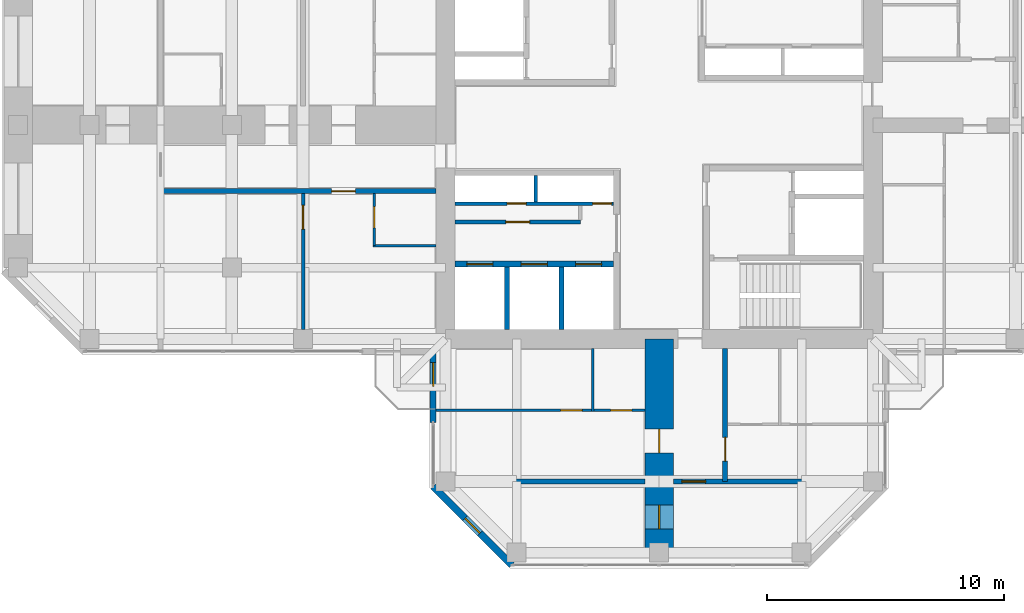
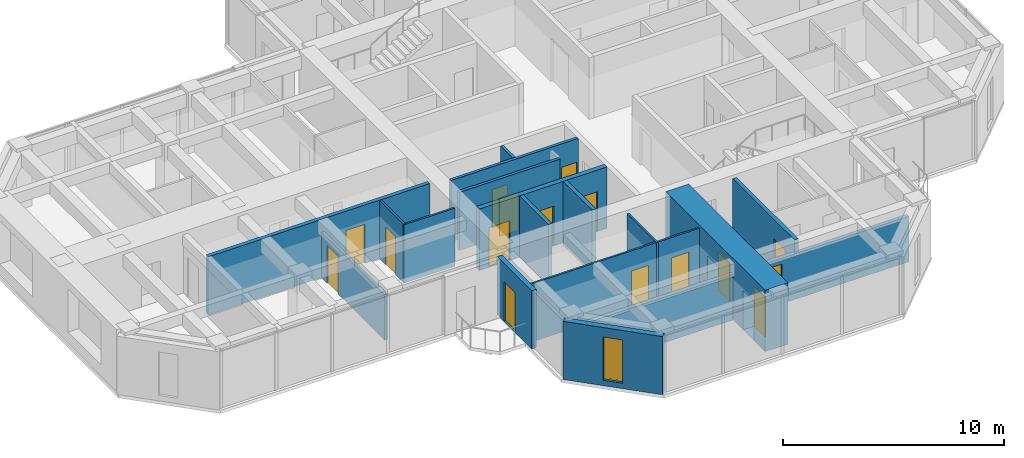
# One storey, part 8 of 13: 18 walls, 16 doors, 1 window, 17 openings.
"""IFC4 building model written with IfcOpenShell, lengths in metres."""

from ifc_helpers import new_model, si_unit, direction, frame, frame_2d, origin, place, context, subcontext, project, spatial, rectangle, hollow_rectangle, extrude, material, layer, layer_set, constituent, constituent_set, type_object, element, fill, save


model = new_model("IFC4")

# Units and contexts
model_context = context("Model", 3, precision=1e-05, world=origin(), true_north=direction((0.0, 1.0)))
body_context = subcontext(model_context, "Body", "Model", "MODEL_VIEW")
ifc_project = project(units=[si_unit("LENGTHUNIT", "METRE"), si_unit("AREAUNIT", "SQUARE_METRE"), si_unit("VOLUMEUNIT", "CUBIC_METRE"), si_unit("PLANEANGLEUNIT", "RADIAN"), si_unit("MASSUNIT", "GRAM", prefix="KILO")], contexts=[model_context])

# Site, building, storey
site_placement = place(None, origin())
site = spatial("IfcSite", under=ifc_project, at=site_placement, CompositionType="ELEMENT")
building_placement = place(site_placement, origin())
building = spatial("IfcBuilding", under=site, at=building_placement, Name="Torre Cruceta", CompositionType="ELEMENT")
storey_placement = place(building_placement, frame((0.0, 0.0, 235.699951171875)))
storey = spatial("IfcBuildingStorey", under=building, at=storey_placement, Name="L60", CompositionType="ELEMENT", Elevation=235.699951171875)

# Wall
ifc_material_1 = material(Name="Water-resistant plasterboard on steel studs", Category="steel")
ifc_layer_1 = layer(ifc_material_1, 0.10009765625)
ifc_layer_set_1 = layer_set([ifc_layer_1], Name="Water-resistant plasterboard on steel studs")
wall_type_1 = type_object("IfcWallType", Name="BATHROOM WALL 100", PredefinedType="PARTITIONING", material=ifc_layer_set_1)
wall_1_placement = place(storey_placement, frame((-2.800048828125, -9.39990234375, 0.0), z_axis=(0.0, 0.0, 1.0), x_axis=(0.0, -1.0, 0.0)))
element("IfcWall", 1, at=wall_1_placement, inside=storey, type_object=wall_type_1, Name="PT4 L60-S-U1RBB", PredefinedType="PARTITIONING", context=body_context, shape_type="SweptSolid", body=[
    extrude(rectangle(XDim=2.650146484375, YDim=0.10009765625, at=frame_2d((1.3251953125, 0.0))), origin(), (0.0, 0.0, 1.0), 3.219970703125),
])

# Wall, openings, doors
wall_2_placement = place(storey_placement, frame((-9.39501953125, -12.0, 0.0), z_axis=(0.0, 0.0, 1.0), x_axis=(1.0, 0.0, 0.0)))
wall_2 = element("IfcWall", 2, at=wall_2_placement, inside=storey, type_object=wall_type_1, Name="PT4 L60-S-U1RBS", PredefinedType="PARTITIONING", context=body_context, shape_type="SweptSolid", body=[
    extrude(rectangle(XDim=8.794921875, YDim=0.10009765625, at=frame_2d((4.3974609375, 0.0))), origin(), (0.0, 0.0, 1.0), 3.219970703125),
])
opening_1_placement = place(wall_2_placement, frame((5.2451171875, 0.0, 0.0)))
opening_1 = element("IfcOpeningElement", 3, at=opening_1_placement, cuts=wall_2, Name="Opening D7", PredefinedType="OPENING", context=body_context, shape_type="SweptSolid", body=[
    extrude(rectangle(XDim=0.89990234375, YDim=2.10009765625, at=frame_2d((0.449951171875, 1.050048828125))), frame((0.0, 0.06005859375, 0.0), z_axis=(0.0, -1.0, 0.0), x_axis=(1.0, 0.0, 0.0)), (0.0, 0.0, 1.0), 0.1201171875),
])
opening_2_placement = place(wall_2_placement, frame((7.344970703125, 0.0, 0.0)))
opening_2 = element("IfcOpeningElement", 4, at=opening_2_placement, cuts=wall_2, Name="Opening D7", PredefinedType="OPENING", context=body_context, shape_type="SweptSolid", body=[
    extrude(rectangle(XDim=0.89990234375, YDim=2.10009765625, at=frame_2d((0.449951171875, 1.050048828125))), frame((0.0, 0.06005859375, 0.0), z_axis=(0.0, -1.0, 0.0), x_axis=(1.0, 0.0, 0.0)), (0.0, 0.0, 1.0), 0.1201171875),
])
ifc_material_2 = material(Name="Timber door", Category="wood")
door_type_1 = type_object("IfcDoorType", Name="BATHROOM DOOR 900X2100", OperationType="SINGLE_SWING_LEFT", PredefinedType="DOOR", material=ifc_material_2)
door_1_placement = place(opening_1_placement, origin())
door_1 = element("IfcDoor", 5, at=door_1_placement, inside=storey, type_object=door_type_1, Name="D7 L60-S-U1RBS-D1", OperationType="SINGLE_SWING_RIGHT", OverallHeight=2.10009765625, OverallWidth=0.89990234375, PredefinedType="DOOR", context=body_context, shape_type="SweptSolid", body=[
    extrude(rectangle(XDim=0.89990234375, YDim=2.10009765625, at=frame_2d((0.449951171875, 1.050048828125))), frame((0.0, 0.02490234375, 0.0), z_axis=(0.0, -1.0, 0.0), x_axis=(1.0, 0.0, 0.0)), (0.0, 0.0, 1.0), 0.050048828125),
])
fill(opening_1, door_1)
door_2_placement = place(opening_2_placement, origin())
door_2 = element("IfcDoor", 6, at=door_2_placement, inside=storey, type_object=door_type_1, Name="D7 L60-S-U1RBS-D2", OperationType="SINGLE_SWING_RIGHT", OverallHeight=2.10009765625, OverallWidth=0.89990234375, PredefinedType="DOOR", context=body_context, shape_type="SweptSolid", body=[
    extrude(rectangle(XDim=0.89990234375, YDim=2.10009765625, at=frame_2d((0.449951171875, 1.050048828125))), frame((0.0, 0.02490234375, 0.0), z_axis=(0.0, -1.0, 0.0), x_axis=(1.0, 0.0, 0.0)), (0.0, 0.0, 1.0), 0.050048828125),
])
fill(opening_2, door_2)

# Wall
wall_3_placement = place(storey_placement, frame((-9.39990234375, -5.074951171875, 0.0), z_axis=(0.0, 0.0, 1.0), x_axis=(-1.0, 0.0, 0.0)))
element("IfcWall", 7, at=wall_3_placement, inside=storey, type_object=wall_type_1, Name="PT4 L60-W-U1LBB", PredefinedType="PARTITIONING", context=body_context, shape_type="SweptSolid", body=[
    extrude(rectangle(XDim=2.650146484375, YDim=0.10009765625, at=frame_2d((1.3251953125, 0.0))), origin(), (0.0, 0.0, 1.0), 3.219970703125),
])

# Wall, opening, door
wall_4_placement = place(storey_placement, frame((-12.0, -2.875, 0.0), z_axis=(0.0, 0.0, 1.0), x_axis=(0.0, -1.0, 0.0)))
wall_4 = element("IfcWall", 8, at=wall_4_placement, inside=storey, type_object=wall_type_1, Name="PT4 L60-W-U1LBS", PredefinedType="PARTITIONING", context=body_context, shape_type="SweptSolid", body=[
    extrude(rectangle(XDim=2.199951171875, YDim=0.10009765625, at=frame_2d((1.10009765625, 0.0))), origin(), (0.0, 0.0, 1.0), 3.219970703125),
])
opening_3_placement = place(wall_4_placement, frame((0.550048828125, 0.0, 0.0)))
opening_3 = element("IfcOpeningElement", 9, at=opening_3_placement, cuts=wall_4, Name="Opening D7", PredefinedType="OPENING", context=body_context, shape_type="SweptSolid", body=[
    extrude(rectangle(XDim=0.89990234375, YDim=2.10009765625, at=frame_2d((0.449951171875, 1.050048828125))), frame((0.0, 0.06005859375, 0.0), z_axis=(0.0, -1.0, 0.0), x_axis=(1.0, 0.0, 0.0)), (0.0, 0.0, 1.0), 0.1201171875),
])
door_3_placement = place(opening_3_placement, origin())
door_3 = element("IfcDoor", 10, at=door_3_placement, inside=storey, type_object=door_type_1, Name="D7 L60-W-U1LBS-D1", OperationType="SINGLE_SWING_LEFT", OverallHeight=2.10009765625, OverallWidth=0.89990234375, PredefinedType="DOOR", context=body_context, shape_type="SweptSolid", body=[
    extrude(rectangle(XDim=0.89990234375, YDim=2.10009765625, at=frame_2d((0.449951171875, 1.050048828125))), frame((0.0, 0.02490234375, 0.0), z_axis=(0.0, -1.0, 0.0), x_axis=(1.0, 0.0, 0.0)), (0.0, 0.0, 1.0), 0.050048828125),
])
fill(opening_3, door_3)

# Wall, openings, doors
ifc_material_3 = material(Name="Concrete G60 (fck 60 MPa)", Category="concrete")
ifc_layer_2 = layer(ifc_material_3, 0.25)
ifc_layer_set_2 = layer_set([ifc_layer_2], Name="Concrete G60 (fck 60 MPa)")
wall_type_2 = type_object("IfcWallType", Name="CORE INNER WALL 250 G60", PredefinedType="SHEAR", material=ifc_layer_set_2)
wall_5_placement = place(storey_placement, frame((-1.925048828125, -5.85009765625, 0.0), z_axis=(0.0, 0.0, 1.0), x_axis=(-1.0, 0.0, 0.0)))
wall_5 = element("IfcWall", 11, at=wall_5_placement, inside=storey, type_object=wall_type_2, Name="CW4 L60 SW-LV", PredefinedType="SHEAR", context=body_context, shape_type="SweptSolid", body=[
    extrude(rectangle(XDim=6.675048828125, YDim=0.25, at=frame_2d((3.33740234375, 0.0))), origin(), (0.0, 0.0, 1.0), 3.400146484375),
])
opening_4_placement = place(wall_5_placement, frame((0.495849609375, 0.0, 0.0)))
opening_4 = element("IfcOpeningElement", 12, at=opening_4_placement, cuts=wall_5, Name="Opening LD1", PredefinedType="OPENING", context=body_context, shape_type="SweptSolid", body=[
    extrude(rectangle(XDim=1.10009765625, YDim=2.199951171875, at=frame_2d((0.550048828125, 1.10009765625))), frame((0.0, 0.135009765625, 0.0), z_axis=(0.0, -1.0, 0.0), x_axis=(1.0, 0.0, 0.0)), (0.0, 0.0, 1.0), 0.27001953125),
])
opening_5_placement = place(wall_5_placement, frame((2.78759765625, 0.0, 0.0)))
opening_5 = element("IfcOpeningElement", 13, at=opening_5_placement, cuts=wall_5, Name="Opening LD1", PredefinedType="OPENING", context=body_context, shape_type="SweptSolid", body=[
    extrude(rectangle(XDim=1.10009765625, YDim=2.199951171875, at=frame_2d((0.550048828125, 1.10009765625))), frame((0.0, 0.135009765625, 0.0), z_axis=(0.0, -1.0, 0.0), x_axis=(1.0, 0.0, 0.0)), (0.0, 0.0, 1.0), 0.27001953125),
])
opening_6_placement = place(wall_5_placement, frame((5.0791015625, 0.0, 0.0)))
opening_6 = element("IfcOpeningElement", 14, at=opening_6_placement, cuts=wall_5, Name="Opening LD1", PredefinedType="OPENING", context=body_context, shape_type="SweptSolid", body=[
    extrude(rectangle(XDim=1.10009765625, YDim=2.199951171875, at=frame_2d((0.550048828125, 1.10009765625))), frame((0.0, 0.135009765625, 0.0), z_axis=(0.0, -1.0, 0.0), x_axis=(1.0, 0.0, 0.0)), (0.0, 0.0, 1.0), 0.27001953125),
])
ifc_material_4 = material(Name="Stainless steel 1.4401", Category="steel")
door_type_2 = type_object("IfcDoorType", Name="LIFT LANDING DOOR 1100X2200", OperationType="DOUBLE_DOOR_SLIDING", PredefinedType="DOOR", material=ifc_material_4)
door_4_placement = place(opening_4_placement, origin())
door_4 = element("IfcDoor", 15, at=door_4_placement, inside=storey, type_object=door_type_2, Name="Lift landing door R1", OperationType="DOUBLE_DOOR_SLIDING", OverallHeight=2.199951171875, OverallWidth=1.10009765625, PredefinedType="DOOR", context=body_context, shape_type="SweptSolid", body=[
    extrude(rectangle(XDim=1.10009765625, YDim=2.199951171875, at=frame_2d((0.550048828125, 1.10009765625))), frame((0.0, 0.02490234375, 0.0), z_axis=(0.0, -1.0, 0.0), x_axis=(1.0, 0.0, 0.0)), (0.0, 0.0, 1.0), 0.050048828125),
])
fill(opening_4, door_4)
door_5_placement = place(opening_5_placement, origin())
door_5 = element("IfcDoor", 16, at=door_5_placement, inside=storey, type_object=door_type_2, Name="Lift landing door R2", OperationType="DOUBLE_DOOR_SLIDING", OverallHeight=2.199951171875, OverallWidth=1.10009765625, PredefinedType="DOOR", context=body_context, shape_type="SweptSolid", body=[
    extrude(rectangle(XDim=1.10009765625, YDim=2.199951171875, at=frame_2d((0.550048828125, 1.10009765625))), frame((0.0, 0.02490234375, 0.0), z_axis=(0.0, -1.0, 0.0), x_axis=(1.0, 0.0, 0.0)), (0.0, 0.0, 1.0), 0.050048828125),
])
fill(opening_5, door_5)
door_6_placement = place(opening_6_placement, origin())
door_6 = element("IfcDoor", 17, at=door_6_placement, inside=storey, type_object=door_type_2, Name="Lift landing door R3", OperationType="DOUBLE_DOOR_SLIDING", OverallHeight=2.199951171875, OverallWidth=1.10009765625, PredefinedType="DOOR", context=body_context, shape_type="SweptSolid", body=[
    extrude(rectangle(XDim=1.10009765625, YDim=2.199951171875, at=frame_2d((0.550048828125, 1.10009765625))), frame((0.0, 0.02490234375, 0.0), z_axis=(0.0, -1.0, 0.0), x_axis=(1.0, 0.0, 0.0)), (0.0, 0.0, 1.0), 0.050048828125),
])
fill(opening_6, door_6)

# Wall, opening, door
ifc_material_5 = material(Name="Concrete G25 (fck 25 MPa)", Category="concrete")
ifc_layer_3 = layer(ifc_material_5, 0.199951171875)
ifc_layer_set_3 = layer_set([ifc_layer_3], Name="Concrete G25 (fck 25 MPa)")
wall_type_3 = type_object("IfcWallType", Name="CORRIDOR WALL 200", PredefinedType="SOLIDWALL", material=ifc_layer_set_3)
wall_6_placement = place(storey_placement, frame((2.77490234375, -9.39990234375, 0.0), z_axis=(0.0, 0.0, 1.0), x_axis=(0.0, -1.0, 0.0)))
wall_6 = element("IfcWall", 18, at=wall_6_placement, inside=storey, type_object=wall_type_3, Name="PT3 L60-S-CL", PredefinedType="SOLIDWALL", context=body_context, shape_type="SweptSolid", body=[
    extrude(rectangle(XDim=5.60009765625, YDim=0.199951171875, at=frame_2d((2.800048828125, 0.0))), origin(), (0.0, 0.0, 1.0), 3.219970703125),
])
opening_7_placement = place(wall_6_placement, frame((3.75, 0.0, 0.0)))
opening_7 = element("IfcOpeningElement", 19, at=opening_7_placement, cuts=wall_6, Name="Opening D6", PredefinedType="OPENING", context=body_context, shape_type="SweptSolid", body=[
    extrude(rectangle(XDim=1.0, YDim=2.14990234375, at=frame_2d((0.5, 1.074951171875))), frame((0.0, 0.10986328125, 0.0), z_axis=(0.0, -1.0, 0.0), x_axis=(1.0, 0.0, 0.0)), (0.0, 0.0, 1.0), 0.219970703125),
])
ifc_material_6 = material(Name="Timber fire door", Category="wood")
door_type_3 = type_object("IfcDoorType", Name="UNIT ENTRANCE DOOR 1000X2150", OperationType="SINGLE_SWING_LEFT", PredefinedType="DOOR", material=ifc_material_6)
door_7_placement = place(opening_7_placement, origin())
door_7 = element("IfcDoor", 20, at=door_7_placement, inside=storey, type_object=door_type_3, Name="D6 L60-S-CL-D1", OperationType="SINGLE_SWING_LEFT", OverallHeight=2.14990234375, OverallWidth=1.0, PredefinedType="DOOR", context=body_context, shape_type="SweptSolid", body=[
    extrude(rectangle(XDim=1.0, YDim=2.14990234375, at=frame_2d((0.5, 1.074951171875))), frame((0.0, 0.02490234375, 0.0), z_axis=(0.0, -1.0, 0.0), x_axis=(1.0, 0.0, 0.0)), (0.0, 0.0, 1.0), 0.050048828125),
])
fill(opening_7, door_7)

wall_7_placement = place(storey_placement, frame((-9.39990234375, -2.77490234375, 0.0), z_axis=(0.0, 0.0, 1.0), x_axis=(-1.0, 0.0, 0.0)))
wall_7 = element("IfcWall", 21, at=wall_7_placement, inside=storey, type_object=wall_type_3, Name="PT3 L60-W-CL", PredefinedType="SOLIDWALL", context=body_context, shape_type="SweptSolid", body=[
    extrude(rectangle(XDim=11.60009765625, YDim=0.199951171875, at=frame_2d((5.800048828125, 0.0))), origin(), (0.0, 0.0, 1.0), 3.219970703125),
])
opening_8_placement = place(wall_7_placement, frame((3.39990234375, 0.0, 0.0)))
opening_8 = element("IfcOpeningElement", 22, at=opening_8_placement, cuts=wall_7, Name="Opening D6", PredefinedType="OPENING", context=body_context, shape_type="SweptSolid", body=[
    extrude(rectangle(XDim=1.0, YDim=2.14990234375, at=frame_2d((0.5, 1.074951171875))), frame((0.0, 0.10986328125, 0.0), z_axis=(0.0, -1.0, 0.0), x_axis=(1.0, 0.0, 0.0)), (0.0, 0.0, 1.0), 0.219970703125),
])
door_8_placement = place(opening_8_placement, origin())
door_8 = element("IfcDoor", 23, at=door_8_placement, inside=storey, type_object=door_type_3, Name="D6 L60-W-CL-D1", OperationType="SINGLE_SWING_LEFT", OverallHeight=2.14990234375, OverallWidth=1.0, PredefinedType="DOOR", context=body_context, shape_type="SweptSolid", body=[
    extrude(rectangle(XDim=1.0, YDim=2.14990234375, at=frame_2d((0.5, 1.074951171875))), frame((0.0, 0.02490234375, 0.0), z_axis=(0.0, -1.0, 0.0), x_axis=(1.0, 0.0, 0.0)), (0.0, 0.0, 1.0), 0.050048828125),
])
fill(opening_8, door_8)

# Wall, opening, window
ifc_material_7 = material(Name="Concrete G30 (fck 30 MPa)", Category="concrete")
ifc_layer_4 = layer(ifc_material_7, 0.300048828125)
ifc_layer_set_4 = layer_set([ifc_layer_4], Name="Concrete G30 (fck 30 MPa)")
wall_type_4 = type_object("IfcWallType", Name="EXPOSED CONCRETE FACADE WALL 300", PredefinedType="SOLIDWALL", material=ifc_layer_set_4)
wall_8_placement = place(storey_placement, frame((-9.52001953125, -15.21533203125, 0.0), z_axis=(0.0, 0.0, 1.0), x_axis=(0.707106781187, -0.707106781187, 0.0)))
wall_8 = element("IfcWall", 24, at=wall_8_placement, inside=storey, type_object=wall_type_4, Name="EW1 facade wall L60 S chamfer 16", PredefinedType="SOLIDWALL", context=body_context, shape_type="SweptSolid", body=[
    extrude(rectangle(XDim=4.673583984375, YDim=0.300048828125, at=frame_2d((2.3369140625, 0.0))), origin(), (0.0, 0.0, 1.0), 3.219970703125),
])
opening_9_placement = place(wall_8_placement, frame((1.88671875, 0.0, 0.300048828125)))
opening_9 = element("IfcOpeningElement", 25, at=opening_9_placement, cuts=wall_8, Name="Opening WN5", PredefinedType="OPENING", context=body_context, shape_type="SweptSolid", body=[
    extrude(rectangle(XDim=0.89990234375, YDim=2.39990234375, at=frame_2d((0.449951171875, 1.199951171875))), frame((0.0, 0.159912109375, 0.0), z_axis=(0.0, -1.0, 0.0), x_axis=(1.0, 0.0, 0.0)), (0.0, 0.0, 1.0), 0.320068359375),
])
ifc_material_8 = material(Name="Aluminium window frame", Category="aluminium")
ifc_constituent_1 = constituent(ifc_material_8, Name="Frame")
ifc_material_9 = material(Name="Laminated insulating glass unit, low-iron clear", Category="glass")
ifc_constituent_2 = constituent(ifc_material_9, Name="Glazing")
ifc_constituent_set_1 = constituent_set(constituents=[ifc_constituent_1, ifc_constituent_2], Name="Aluminium window")
window_type = type_object("IfcWindowType", Name="CHAMFER SLOT WINDOW 900X2400", PartitioningType="SINGLE_PANEL", PredefinedType="WINDOW", material=ifc_constituent_set_1)
window_placement = place(opening_9_placement, origin())
window = element("IfcWindow", 26, at=window_placement, inside=storey, type_object=window_type, Name="WN5 L60 S 1", OverallHeight=2.39990234375, OverallWidth=0.89990234375, PartitioningType="SINGLE_PANEL", PredefinedType="WINDOW", context=body_context, shape_type="SweptSolid", body=[
    extrude(hollow_rectangle(XDim=0.89990234375, YDim=2.39990234375, WallThickness=0.06005859375, at=frame_2d((0.449951171875, 1.199951171875))), frame((0.0, 0.030029296875, 0.0), z_axis=(0.0, -1.0, 0.0), x_axis=(1.0, 0.0, 0.0)), (0.0, 0.0, 1.0), 0.06005859375),
    extrude(rectangle(XDim=0.77880859375, YDim=2.27880859375, at=frame_2d((0.449951171875, 1.199951171875))), frame((0.0, 0.030029296875, 0.0), z_axis=(0.0, -1.0, 0.0), x_axis=(1.0, 0.0, 0.0)), (0.0, 0.0, 1.0), 0.06005859375),
])
fill(opening_9, window)

# Walls
ifc_material_10 = material(Name="Concrete G35 (fck 35 MPa)", Category="concrete")
ifc_layer_5 = layer(ifc_material_10, 0.199951171875)
ifc_layer_set_5 = layer_set([ifc_layer_5], Name="Concrete G35 (fck 35 MPa)")
wall_type_5 = type_object("IfcWallType", Name="LIFT SHAFT WALL 200", PredefinedType="PARTITIONING", material=ifc_layer_set_5)
for number, where, z_axis, x_axis, name in (
    (27, (-4.11669921875, -5.97509765625, 0.0), (0.0, 0.0, 1.0), (0.0, -1.0, 0.0), "SW1 L60 SW-LS1"),
    (28, (-6.408447265625, -5.97509765625, 0.0), (0.0, 0.0, 1.0), (0.0, -1.0, 0.0), "SW1 L60 SW-LS2"),
):
    element("IfcWall", number, at=place(storey_placement, frame(where, z_axis=z_axis, x_axis=x_axis)), inside=storey, type_object=wall_type_5, Name=name, PredefinedType="PARTITIONING", context=body_context, shape_type="SweptSolid", body=[
        extrude(rectangle(XDim=2.625, YDim=0.199951171875, at=frame_2d((1.3125, 0.0))), origin(), (0.0, 0.0, 1.0), 3.400146484375),
    ])

# Wall, opening, door
ifc_material_11 = material(Name="Plasterboard on steel studs", Category="steel")
ifc_layer_6 = layer(ifc_material_11, 0.14990234375)
ifc_layer_set_6 = layer_set([ifc_layer_6], Name="Plasterboard on steel studs")
wall_type_6 = type_object("IfcWallType", Name="PARTITION 150", PredefinedType="PARTITIONING", material=ifc_layer_set_6)
wall_9_placement = place(storey_placement, frame((-3.324951171875, -4.074951171875, 0.0), z_axis=(0.0, 0.0, 1.0), x_axis=(-1.0, 0.0, 0.0)))
wall_9 = element("IfcWall", 29, at=wall_9_placement, inside=storey, type_object=wall_type_6, Name="PT1 L60-CORE-SW-CUPBOARD", PredefinedType="PARTITIONING", context=body_context, shape_type="SweptSolid", body=[
    extrude(rectangle(XDim=5.275146484375, YDim=0.14990234375, at=frame_2d((2.6376953125, 0.0))), origin(), (0.0, 0.0, 1.0), 3.219970703125),
])
opening_10_placement = place(wall_9_placement, frame((2.137451171875, 0.0, 0.0)))
opening_10 = element("IfcOpeningElement", 30, at=opening_10_placement, cuts=wall_9, Name="Opening D19", PredefinedType="OPENING", context=body_context, shape_type="SweptSolid", body=[
    extrude(rectangle(XDim=1.0, YDim=2.10009765625, at=frame_2d((0.5, 1.050048828125))), frame((0.0, 0.0849609375, 0.0), z_axis=(0.0, -1.0, 0.0), x_axis=(1.0, 0.0, 0.0)), (0.0, 0.0, 1.0), 0.169921875),
])
ifc_material_12 = material(Name="Timber fire door", Category="wood")
door_type_4 = type_object("IfcDoorType", Name="CUPBOARD PAIR OF DOORS 1000X2100", OperationType="DOUBLE_DOOR_SINGLE_SWING", PredefinedType="DOOR", material=ifc_material_12)
door_9_placement = place(opening_10_placement, frame((1.0, 0.0, 0.0), z_axis=(0.0, 0.0, 1.0), x_axis=(-1.0, 0.0, 0.0)))
door_9 = element("IfcDoor", 31, at=door_9_placement, inside=storey, type_object=door_type_4, Name="D19 L60-CORE-SW-CUPBOARD-D1", OperationType="DOUBLE_DOOR_SINGLE_SWING", OverallHeight=2.10009765625, OverallWidth=1.0, PredefinedType="DOOR", context=body_context, shape_type="SweptSolid", body=[
    extrude(rectangle(XDim=1.0, YDim=2.10009765625, at=frame_2d((0.5, 1.050048828125))), frame((0.0, 0.025146484375, 0.0), z_axis=(0.0, -1.0, 0.0), x_axis=(1.0, 0.0, 0.0)), (0.0, 0.0, 1.0), 0.050048828125),
])
fill(opening_10, door_9)

wall_10_placement = place(storey_placement, frame((-15.0, -2.875, 0.0), z_axis=(0.0, 0.0, 1.0), x_axis=(0.0, -1.0, 0.0)))
wall_10 = element("IfcWall", 32, at=wall_10_placement, inside=storey, type_object=wall_type_6, Name="PT1 L60-W-P1L", PredefinedType="PARTITIONING", context=body_context, shape_type="SweptSolid", body=[
    extrude(rectangle(XDim=5.72509765625, YDim=0.14990234375, at=frame_2d((2.862548828125, 0.0))), origin(), (0.0, 0.0, 1.0), 2.52001953125),
])
opening_11_placement = place(wall_10_placement, frame((0.5, 0.0, 0.0)))
opening_11 = element("IfcOpeningElement", 33, at=opening_11_placement, cuts=wall_10, Name="Opening D3", PredefinedType="OPENING", context=body_context, shape_type="SweptSolid", body=[
    extrude(rectangle(XDim=1.0, YDim=2.10009765625, at=frame_2d((0.5, 1.050048828125))), frame((0.0, 0.0849609375, 0.0), z_axis=(0.0, -1.0, 0.0), x_axis=(1.0, 0.0, 0.0)), (0.0, 0.0, 1.0), 0.169921875),
])
ifc_material_13 = material(Name="Steel DX51D", Category="steel")
ifc_constituent_3 = constituent(ifc_material_13, Name="Leaf and frame")
ifc_material_14 = material(Name="Polyester powder coating", Category="paint")
ifc_constituent_4 = constituent(ifc_material_14, Name="Finish")
ifc_constituent_set_2 = constituent_set(constituents=[ifc_constituent_3, ifc_constituent_4], Name="Steel fire door")
door_type_5 = type_object("IfcDoorType", Name="FIRE DOOR 1000X2100", OperationType="SINGLE_SWING_LEFT", PredefinedType="DOOR", material=ifc_constituent_set_2)
door_10_placement = place(opening_11_placement, origin())
door_10 = element("IfcDoor", 34, at=door_10_placement, inside=storey, type_object=door_type_5, Name="D3 L60-W-P1L-D1", OperationType="SINGLE_SWING_LEFT", OverallHeight=2.10009765625, OverallWidth=1.0, PredefinedType="DOOR", context=body_context, shape_type="SweptSolid", body=[
    extrude(rectangle(XDim=1.0, YDim=2.10009765625, at=frame_2d((0.5, 1.050048828125))), frame((0.0, 0.02490234375, 0.0), z_axis=(0.0, -1.0, 0.0), x_axis=(1.0, 0.0, 0.0)), (0.0, 0.0, 1.0), 0.050048828125),
])
fill(opening_11, door_10)

# Wall, openings, doors
ifc_material_15 = material(Name="Concrete block masonry", Category="masonry")
ifc_layer_7 = layer(ifc_material_15, 0.14990234375)
ifc_layer_set_7 = layer_set([ifc_layer_7], Name="Concrete block masonry")
wall_type_7 = type_object("IfcWallType", Name="RISER WALL 150", PredefinedType="PARTITIONING", material=ifc_layer_set_7)
wall_11_placement = place(storey_placement, frame((-1.925048828125, -3.300048828125, 0.0), z_axis=(0.0, 0.0, 1.0), x_axis=(-1.0, 0.0, 0.0)))
wall_11 = element("IfcWall", 35, at=wall_11_placement, inside=storey, type_object=wall_type_7, Name="SW7 L60 SW-RV", PredefinedType="PARTITIONING", context=body_context, shape_type="SweptSolid", body=[
    extrude(rectangle(XDim=6.675048828125, YDim=0.14990234375, at=frame_2d((3.33740234375, 0.0))), origin(), (0.0, 0.0, 1.0), 3.400146484375),
])
opening_12_placement = place(wall_11_placement, frame((0.074951171875, 0.0, 0.0)))
opening_12 = element("IfcOpeningElement", 36, at=opening_12_placement, cuts=wall_11, Name="Opening D5", PredefinedType="OPENING", context=body_context, shape_type="SweptSolid", body=[
    extrude(rectangle(XDim=0.800048828125, YDim=2.10009765625, at=frame_2d((0.39990234375, 1.050048828125))), frame((0.0, 0.0849609375, 0.0), z_axis=(0.0, -1.0, 0.0), x_axis=(1.0, 0.0, 0.0)), (0.0, 0.0, 1.0), 0.169921875),
])
opening_13_placement = place(wall_11_placement, frame((3.675048828125, 0.0, 0.0)))
opening_13 = element("IfcOpeningElement", 37, at=opening_13_placement, cuts=wall_11, Name="Opening D5", PredefinedType="OPENING", context=body_context, shape_type="SweptSolid", body=[
    extrude(rectangle(XDim=0.800048828125, YDim=2.10009765625, at=frame_2d((0.39990234375, 1.050048828125))), frame((0.0, 0.0849609375, 0.0), z_axis=(0.0, -1.0, 0.0), x_axis=(1.0, 0.0, 0.0)), (0.0, 0.0, 1.0), 0.169921875),
])
ifc_material_16 = material(Name="Steel DX51D", Category="steel")
ifc_constituent_5 = constituent(ifc_material_16, Name="Leaf and frame")
ifc_material_17 = material(Name="Polyester powder coating", Category="paint")
ifc_constituent_6 = constituent(ifc_material_17, Name="Finish")
ifc_constituent_set_3 = constituent_set(constituents=[ifc_constituent_5, ifc_constituent_6], Name="Steel fire door")
door_type_6 = type_object("IfcDoorType", Name="RISER ACCESS DOOR 800X2100", OperationType="SINGLE_SWING_LEFT", PredefinedType="DOOR", material=ifc_constituent_set_3)
door_11_placement = place(opening_12_placement, frame((0.800048828125, 0.0, 0.0), z_axis=(0.0, 0.0, 1.0), x_axis=(-1.0, 0.0, 0.0)))
door_11 = element("IfcDoor", 38, at=door_11_placement, inside=storey, type_object=door_type_6, Name="D5 L60 SW-RISER1", OperationType="SINGLE_SWING_RIGHT", OverallHeight=2.10009765625, OverallWidth=0.800048828125, PredefinedType="DOOR", context=body_context, shape_type="SweptSolid", body=[
    extrude(rectangle(XDim=0.800048828125, YDim=2.10009765625, at=frame_2d((0.400146484375, 1.050048828125))), frame((0.0, 0.025146484375, 0.0), z_axis=(0.0, -1.0, 0.0), x_axis=(1.0, 0.0, 0.0)), (0.0, 0.0, 1.0), 0.050048828125),
])
fill(opening_12, door_11)
door_12_placement = place(opening_13_placement, frame((0.800048828125, 0.0, 0.0), z_axis=(0.0, 0.0, 1.0), x_axis=(-1.0, 0.0, 0.0)))
door_12 = element("IfcDoor", 39, at=door_12_placement, inside=storey, type_object=door_type_6, Name="D5 L60 SW-RISER2", OperationType="SINGLE_SWING_RIGHT", OverallHeight=2.10009765625, OverallWidth=0.800048828125, PredefinedType="DOOR", context=body_context, shape_type="SweptSolid", body=[
    extrude(rectangle(XDim=0.800048828125, YDim=2.10009765625, at=frame_2d((0.400146484375, 1.050048828125))), frame((0.0, 0.025146484375, 0.0), z_axis=(0.0, -1.0, 0.0), x_axis=(1.0, 0.0, 0.0)), (0.0, 0.0, 1.0), 0.050048828125),
])
fill(opening_13, door_12)

# Wall
wall_12_placement = place(storey_placement, frame((-5.199951171875, -2.125, 0.0), z_axis=(0.0, 0.0, 1.0), x_axis=(0.0, -1.0, 0.0)))
element("IfcWall", 40, at=wall_12_placement, inside=storey, type_object=wall_type_7, Name="SW7 L60 SW-RU", PredefinedType="PARTITIONING", context=body_context, shape_type="SweptSolid", body=[
    extrude(rectangle(XDim=1.10009765625, YDim=0.14990234375, at=frame_2d((0.550048828125, 0.0))), origin(), (0.0, 0.0, 1.0), 3.400146484375),
])

# Wall, openings, doors
ifc_material_18 = material(Name="Concrete G60 (fck 60 MPa)", Category="concrete")
ifc_layer_8 = layer(ifc_material_18, 1.199951171875)
ifc_layer_set_8 = layer_set([ifc_layer_8], Name="Concrete G60 (fck 60 MPa)")
wall_type_8 = type_object("IfcWallType", Name="SPINE WALL 1200 G60", PredefinedType="SHEAR", material=ifc_layer_set_8)
wall_13_placement = place(storey_placement, frame((0.0, -9.0, 0.0), z_axis=(0.0, 0.0, 1.0), x_axis=(0.0, -1.0, 0.0)))
wall_13 = element("IfcWall", 41, at=wall_13_placement, inside=storey, type_object=wall_type_8, Name="SW3 spine wall L60 S", PredefinedType="SHEAR", context=body_context, shape_type="SweptSolid", body=[
    extrude(rectangle(XDim=9.0, YDim=1.199951171875, at=frame_2d((4.5, 0.0))), origin(), (0.0, 0.0, 1.0), 3.400146484375),
])
opening_14_placement = place(wall_13_placement, frame((3.800048828125, 0.0, 0.0)))
opening_14 = element("IfcOpeningElement", 42, at=opening_14_placement, cuts=wall_13, Name="Opening D6", PredefinedType="OPENING", context=body_context, shape_type="SweptSolid", body=[
    extrude(rectangle(XDim=1.0, YDim=2.14990234375, at=frame_2d((0.5, 1.074951171875))), frame((0.0, 0.60986328125, 0.0), z_axis=(0.0, -1.0, 0.0), x_axis=(1.0, 0.0, 0.0)), (0.0, 0.0, 1.0), 1.219970703125),
])
opening_15_placement = place(wall_13_placement, frame((7.0, 0.0, 0.0)))
opening_15 = element("IfcOpeningElement", 43, at=opening_15_placement, cuts=wall_13, Name="Opening D14", PredefinedType="OPENING", context=body_context, shape_type="SweptSolid", body=[
    extrude(rectangle(XDim=1.0, YDim=2.199951171875, at=frame_2d((0.5, 1.10009765625))), frame((0.0, 0.60986328125, 0.0), z_axis=(0.0, -1.0, 0.0), x_axis=(1.0, 0.0, 0.0)), (0.0, 0.0, 1.0), 1.219970703125),
])
ifc_material_19 = material(Name="Steel DX51D", Category="steel")
ifc_constituent_7 = constituent(ifc_material_19, Name="Leaf and frame")
ifc_material_20 = material(Name="Polyester powder coating", Category="paint")
ifc_constituent_8 = constituent(ifc_material_20, Name="Finish")
ifc_material_21 = material(Name="Fire-resisting glass", Category="glass")
ifc_constituent_9 = constituent(ifc_material_21, Name="Vision panel")
ifc_constituent_set_4 = constituent_set(constituents=[ifc_constituent_7, ifc_constituent_8, ifc_constituent_9], Name="Steel fire door with vision panel")
door_type_7 = type_object("IfcDoorType", Name="FIRE DOOR VISION PANEL 1000X2200", OperationType="SINGLE_SWING_RIGHT", PredefinedType="DOOR", material=ifc_constituent_set_4)
door_13_placement = place(opening_15_placement, origin())
door_13 = element("IfcDoor", 44, at=door_13_placement, inside=storey, type_object=door_type_7, Name="D14 L60-S-SP2", OperationType="SINGLE_SWING_LEFT", OverallHeight=2.199951171875, OverallWidth=1.0, PredefinedType="DOOR", context=body_context, shape_type="SweptSolid", body=[
    extrude(rectangle(XDim=1.0, YDim=2.199951171875, at=frame_2d((0.5, 1.10009765625))), frame((0.0, 0.02490234375, 0.0), z_axis=(0.0, -1.0, 0.0), x_axis=(1.0, 0.0, 0.0)), (0.0, 0.0, 1.0), 0.050048828125),
])
fill(opening_15, door_13)
door_14_placement = place(opening_14_placement, frame((1.0, 0.0, 0.0), z_axis=(0.0, 0.0, 1.0), x_axis=(-1.0, 0.0, 0.0)))
door_14 = element("IfcDoor", 45, at=door_14_placement, inside=storey, type_object=door_type_3, Name="D6 L60-S-SP1", OperationType="SINGLE_SWING_RIGHT", OverallHeight=2.14990234375, OverallWidth=1.0, PredefinedType="DOOR", context=body_context, shape_type="SweptSolid", body=[
    extrude(rectangle(XDim=1.0, YDim=2.14990234375, at=frame_2d((0.5, 1.074951171875))), frame((0.0, 0.025146484375, 0.0), z_axis=(0.0, -1.0, 0.0), x_axis=(1.0, 0.0, 0.0)), (0.0, 0.0, 1.0), 0.050048828125),
])
fill(opening_14, door_14)

# Wall
ifc_material_22 = material(Name="Concrete G25 (fck 25 MPa)", Category="concrete")
ifc_layer_9 = layer(ifc_material_22, 0.199951171875)
ifc_layer_set_9 = layer_set([ifc_layer_9], Name="Concrete G25 (fck 25 MPa)")
wall_type_9 = type_object("IfcWallType", Name="UNIT SEPARATING WALL 200", PredefinedType="SOLIDWALL", material=ifc_layer_set_9)
wall_14_placement = place(storey_placement, frame((-8.60009765625, -15.0, 0.0), z_axis=(0.0, 0.0, 1.0), x_axis=(1.0, 0.0, 0.0)))
element("IfcWall", 46, at=wall_14_placement, inside=storey, type_object=wall_type_9, Name="PT2 L60-S-ENDa", PredefinedType="SOLIDWALL", context=body_context, shape_type="SweptSolid", body=[
    extrude(rectangle(XDim=8.0, YDim=0.199951171875, at=frame_2d((4.0, 0.0))), origin(), (0.0, 0.0, 1.0), 2.52001953125),
])

# Wall, opening, door
wall_15_placement = place(storey_placement, frame((0.60009765625, -15.0, 0.0), z_axis=(0.0, 0.0, 1.0), x_axis=(1.0, 0.0, 0.0)))
wall_15 = element("IfcWall", 47, at=wall_15_placement, inside=storey, type_object=wall_type_9, Name="PT2 L60-S-ENDb", PredefinedType="SOLIDWALL", context=body_context, shape_type="SweptSolid", body=[
    extrude(rectangle(XDim=8.0, YDim=0.199951171875, at=frame_2d((4.0, 0.0))), origin(), (0.0, 0.0, 1.0), 2.52001953125),
])
opening_16_placement = place(wall_15_placement, frame((0.35009765625, 0.0, 0.0)))
opening_16 = element("IfcOpeningElement", 48, at=opening_16_placement, cuts=wall_15, Name="Opening D14", PredefinedType="OPENING", context=body_context, shape_type="SweptSolid", body=[
    extrude(rectangle(XDim=1.0, YDim=2.199951171875, at=frame_2d((0.5, 1.10009765625))), frame((0.0, 0.10986328125, 0.0), z_axis=(0.0, -1.0, 0.0), x_axis=(1.0, 0.0, 0.0)), (0.0, 0.0, 1.0), 0.219970703125),
])
door_15_placement = place(opening_16_placement, frame((1.0, 0.0, 0.0), z_axis=(0.0, 0.0, 1.0), x_axis=(-1.0, 0.0, 0.0)))
door_15 = element("IfcDoor", 49, at=door_15_placement, inside=storey, type_object=door_type_7, Name="D14 L60-S-ENDb-D1", OperationType="SINGLE_SWING_LEFT", OverallHeight=2.199951171875, OverallWidth=1.0, PredefinedType="DOOR", context=body_context, shape_type="SweptSolid", body=[
    extrude(rectangle(XDim=1.0, YDim=2.199951171875, at=frame_2d((0.5, 1.10009765625))), frame((0.0, 0.025146484375, 0.0), z_axis=(0.0, -1.0, 0.0), x_axis=(1.0, 0.0, 0.0)), (0.0, 0.0, 1.0), 0.050048828125),
])
fill(opening_16, door_15)

ifc_material_23 = material(Name="Concrete G30 (fck 30 MPa)", Category="concrete")
ifc_layer_10 = layer(ifc_material_23, 0.25)
ifc_layer_set_10 = layer_set([ifc_layer_10], Name="Concrete G30 (fck 30 MPa)")
wall_type_10 = type_object("IfcWallType", Name="WINTER GARDEN WALL 250", PredefinedType="SOLIDWALL", material=ifc_layer_set_10)
wall_16_placement = place(storey_placement, frame((-9.52001953125, -9.39501953125, 0.0), z_axis=(0.0, 0.0, 1.0), x_axis=(0.0, -1.0, 0.0)))
wall_16 = element("IfcWall", 50, at=wall_16_placement, inside=storey, type_object=wall_type_10, Name="EW2 winter garden wall L60 15", PredefinedType="SOLIDWALL", context=body_context, shape_type="SweptSolid", body=[
    extrude(rectangle(XDim=3.125, YDim=0.25, at=frame_2d((1.5625, 0.0))), origin(), (0.0, 0.0, 1.0), 3.219970703125),
])
opening_17_placement = place(wall_16_placement, frame((0.60009765625, 0.0, 0.0)))
opening_17 = element("IfcOpeningElement", 51, at=opening_17_placement, cuts=wall_16, Name="Opening D10", PredefinedType="OPENING", context=body_context, shape_type="SweptSolid", body=[
    extrude(rectangle(XDim=1.0, YDim=2.199951171875, at=frame_2d((0.5, 1.10009765625))), frame((0.0, 0.135009765625, 0.0), z_axis=(0.0, -1.0, 0.0), x_axis=(1.0, 0.0, 0.0)), (0.0, 0.0, 1.0), 0.27001953125),
])
ifc_material_24 = material(Name="Aluminium door frame", Category="aluminium")
ifc_constituent_10 = constituent(ifc_material_24, Name="Frame")
ifc_material_25 = material(Name="Laminated safety glass", Category="glass")
ifc_constituent_11 = constituent(ifc_material_25, Name="Glazing")
ifc_constituent_set_5 = constituent_set(constituents=[ifc_constituent_10, ifc_constituent_11], Name="Aluminium glazed door")
door_type_8 = type_object("IfcDoorType", Name="BALCONY DOOR 1000X2200", OperationType="SINGLE_SWING_RIGHT", PredefinedType="DOOR", material=ifc_constituent_set_5)
door_16_placement = place(opening_17_placement, origin())
door_16 = element("IfcDoor", 52, at=door_16_placement, inside=storey, type_object=door_type_8, Name="D10 balcony door L60 15", OperationType="SINGLE_SWING_RIGHT", OverallHeight=2.199951171875, OverallWidth=1.0, PredefinedType="DOOR", context=body_context, shape_type="SweptSolid", body=[
    extrude(hollow_rectangle(XDim=1.0, YDim=2.199951171875, WallThickness=0.06005859375, at=frame_2d((0.5, 1.10009765625))), frame((0.0, 0.02490234375, 0.0), z_axis=(0.0, -1.0, 0.0), x_axis=(1.0, 0.0, 0.0)), (0.0, 0.0, 1.0), 0.050048828125),
    extrude(rectangle(XDim=0.87890625, YDim=2.078857421875, at=frame_2d((0.5, 1.10009765625))), frame((0.0, 0.02490234375, 0.0), z_axis=(0.0, -1.0, 0.0), x_axis=(1.0, 0.0, 0.0)), (0.0, 0.0, 1.0), 0.050048828125),
])
fill(opening_17, door_16)

save(model, "model.ifc")
